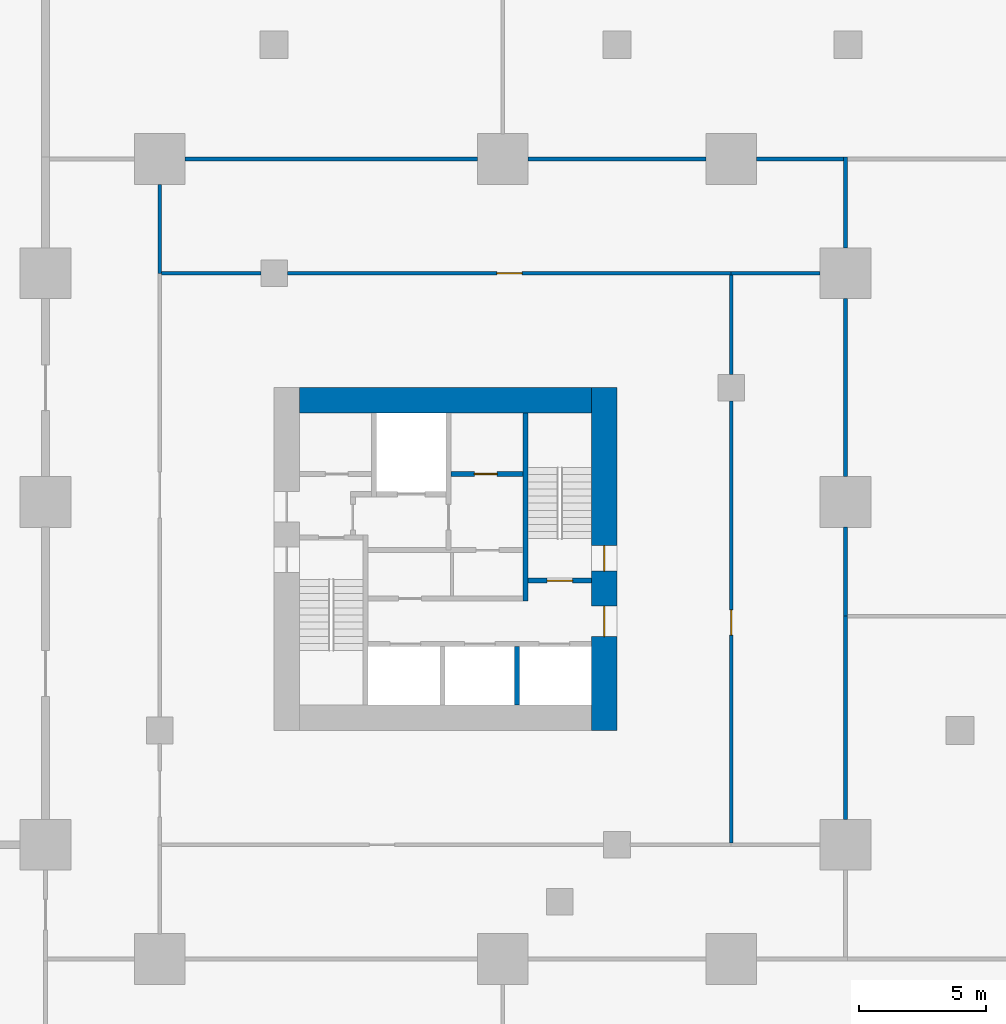
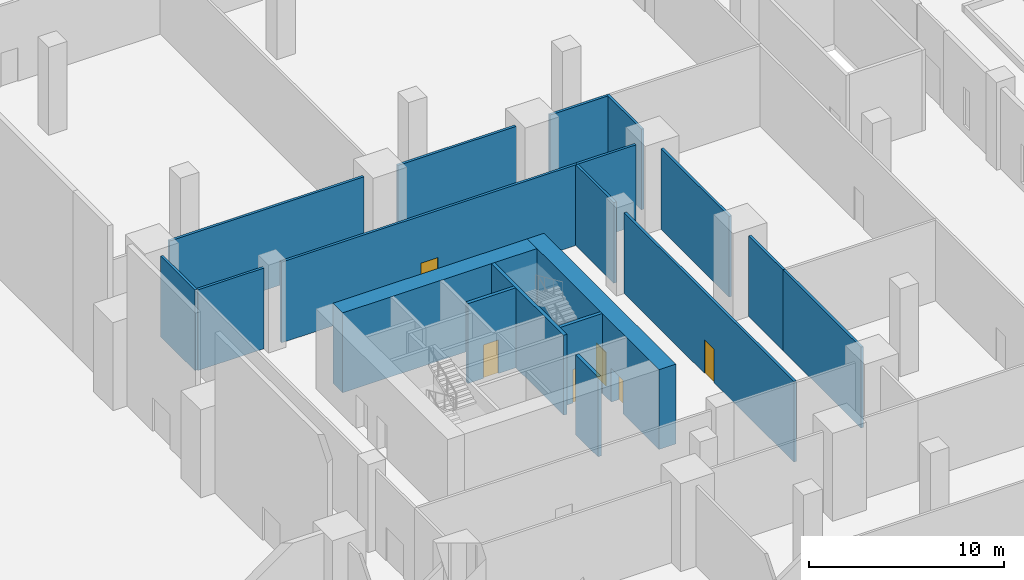
# One storey, part 31 of 47: 19 walls, 6 doors, 6 openings.
"""IFC4 building model written with IfcOpenShell, lengths in metres."""

from ifc_helpers import new_model, si_unit, direction, frame, frame_2d, origin, place, context, subcontext, project, spatial, rectangle, extrude, material, layer, layer_set, type_object, element, fill, save


model = new_model("IFC4")

# Units and contexts
model_context = context("Model", 3, precision=1e-05, world=origin(), true_north=direction((0.0, 1.0)))
body_context = subcontext(model_context, "Body", "Model", "MODEL_VIEW")
ifc_project = project(units=[si_unit("LENGTHUNIT", "METRE"), si_unit("AREAUNIT", "SQUARE_METRE"), si_unit("VOLUMEUNIT", "CUBIC_METRE"), si_unit("PLANEANGLEUNIT", "RADIAN"), si_unit("MASSUNIT", "GRAM", prefix="KILO")], contexts=[model_context])

# Site, building, storey
site_placement = place(None, origin())
site = spatial("IfcSite", under=ifc_project, at=site_placement, CompositionType="ELEMENT")
building_placement = place(site_placement, origin())
building = spatial("IfcBuilding", under=site, at=building_placement, Name="Altepetl Exchange Towers", CompositionType="ELEMENT")
storey_placement = place(building_placement, frame((0.0, 0.0, 6.0)))
storey = spatial("IfcBuildingStorey", under=building, at=storey_placement, Name="L01 Retail podium", CompositionType="ELEMENT", Elevation=6.0)

# Wall, openings, doors
ifc_material_1 = material(Name="Concrete C70/85", Category="concrete")
ifc_layer_1 = layer(ifc_material_1, 1.0)
ifc_layer_set_1 = layer_set([ifc_layer_1], Name="Concrete C70/85")
wall_type_1 = type_object("IfcWallType", Name="Core wall 1000 reinforced concrete", PredefinedType="SHEAR", material=ifc_layer_set_1)
wall_1_placement = place(storey_placement, frame((116.5, 36.0, 0.0), z_axis=(0.0, 0.0, 1.0), x_axis=(0.0, 1.0, 0.0)))
wall_1 = element("IfcWall", 1, at=wall_1_placement, inside=storey, type_object=wall_type_1, Name="wall:B:L01:K-coreE", PredefinedType="SHEAR", context=body_context, shape_type="SweptSolid", body=[
    extrude(rectangle(XDim=13.5, YDim=1.0, at=frame_2d((6.75, 0.0))), origin(), (0.0, 0.0, 1.0), 5.0),
])
opening_1_placement = place(wall_1_placement, frame((3.699951171875, 0.0, 0.0)))
opening_1 = element("IfcOpeningElement", 2, at=opening_1_placement, cuts=wall_1, Name="Opening L01.B61", PredefinedType="OPENING", context=body_context, shape_type="SweptSolid", body=[
    extrude(rectangle(XDim=1.199951171875, YDim=2.10009765625, at=frame_2d((0.60009765625, 1.050048828125))), frame((0.0, 0.510009765625, 0.0), z_axis=(0.0, -1.0, 0.0), x_axis=(1.0, 0.0, 0.0)), (0.0, 0.0, 1.0), 1.02001953125),
])
opening_2_placement = place(wall_1_placement, frame((6.27490234375, 0.0, 0.0)))
opening_2 = element("IfcOpeningElement", 3, at=opening_2_placement, cuts=wall_1, Name="Opening L01.B65", PredefinedType="OPENING", context=body_context, shape_type="SweptSolid", body=[
    extrude(rectangle(XDim=1.0, YDim=2.10009765625, at=frame_2d((0.5, 1.050048828125))), frame((0.0, 0.510009765625, 0.0), z_axis=(0.0, -1.0, 0.0), x_axis=(1.0, 0.0, 0.0)), (0.0, 0.0, 1.0), 1.02001953125),
])
ifc_material_2 = material(Name="Steel and timber fire door", Category="steel")
door_type_1 = type_object("IfcDoorType", Name="Fire door 1000 x 2100 stair and lobby", OperationType="SINGLE_SWING_LEFT", PredefinedType="DOOR", material=ifc_material_2)
door_1_placement = place(opening_2_placement, origin())
door_1 = element("IfcDoor", 4, at=door_1_placement, inside=storey, type_object=door_type_1, Name="door:B:L01:K-dS2x", OperationType="SINGLE_SWING_LEFT", OverallHeight=2.10009765625, OverallWidth=1.0, PredefinedType="DOOR", context=body_context, shape_type="SweptSolid", body=[
    extrude(rectangle(XDim=1.0, YDim=2.10009765625, at=frame_2d((0.5, 1.050048828125))), frame((0.0, 0.02490234375, 0.0), z_axis=(0.0, -1.0, 0.0), x_axis=(1.0, 0.0, 0.0)), (0.0, 0.0, 1.0), 0.050048828125),
])
fill(opening_2, door_1)
door_type_2 = type_object("IfcDoorType", Name="Fire door 1200 x 2100 lobby entry", OperationType="SINGLE_SWING_LEFT", PredefinedType="DOOR", material=ifc_material_2)
door_2_placement = place(opening_1_placement, origin())
door_2 = element("IfcDoor", 5, at=door_2_placement, inside=storey, type_object=door_type_2, Name="door:B:L01:K-dLSE", OperationType="SINGLE_SWING_RIGHT", OverallHeight=2.10009765625, OverallWidth=1.199951171875, PredefinedType="DOOR", context=body_context, shape_type="SweptSolid", body=[
    extrude(rectangle(XDim=1.199951171875, YDim=2.10009765625, at=frame_2d((0.60009765625, 1.050048828125))), frame((0.0, 0.02490234375, 0.0), z_axis=(0.0, -1.0, 0.0), x_axis=(1.0, 0.0, 0.0)), (0.0, 0.0, 1.0), 0.050048828125),
])
fill(opening_1, door_2)

# Walls
wall_2_placement = place(storey_placement, frame((104.5, 49.0, 0.0)))
element("IfcWall", 6, at=wall_2_placement, inside=storey, type_object=wall_type_1, Name="wall:B:L01:K-coreN", PredefinedType="SHEAR", context=body_context, shape_type="SweptSolid", body=[
    extrude(rectangle(XDim=11.5, YDim=1.0, at=frame_2d((5.75, 0.0))), origin(), (0.0, 0.0, 1.0), 5.0),
])
ifc_material_3 = material(Name="Gypsum board on steel studs", Category="steel")
ifc_layer_2 = layer(ifc_material_3, 0.14990234375)
ifc_layer_set_2 = layer_set([ifc_layer_2], Name="Gypsum board on steel studs")
wall_type_2 = type_object("IfcWallType", Name="Podium partition 150", PredefinedType="PARTITIONING", material=ifc_layer_set_2)
wall_3_placement = place(storey_placement, frame((99.0, 54.0, 0.0), z_axis=(0.0, 0.0, 1.0), x_axis=(0.0, 1.0, 0.0)))
element("IfcWall", 7, at=wall_3_placement, inside=storey, type_object=wall_type_2, Name="wall:P:L01:P126", PredefinedType="PARTITIONING", context=body_context, shape_type="SweptSolid", body=[
    extrude(rectangle(XDim=3.5048828125, YDim=0.14990234375, at=frame_2d((1.75244140625, 0.0))), origin(), (0.0, 0.0, 1.0), 5.050048828125),
])
wall_4_placement = place(storey_placement, frame((99.074951171875, 54.0, 0.0)))
element("IfcWall", 8, at=wall_4_placement, inside=storey, type_object=wall_type_2, Name="wall:P:L01:P131", PredefinedType="PARTITIONING", context=body_context, shape_type="SweptSolid", body=[
    extrude(rectangle(XDim=3.905029296875, YDim=0.14990234375, at=frame_2d((1.95263671875, 0.0))), origin(), (0.0, 0.0, 1.0), 5.050048828125),
])

# Wall, opening, door
wall_5_placement = place(storey_placement, frame((104.02001953125, 54.0, 0.0)))
wall_5 = element("IfcWall", 9, at=wall_5_placement, inside=storey, type_object=wall_type_2, Name="wall:P:L01:P132", PredefinedType="PARTITIONING", context=body_context, shape_type="SweptSolid", body=[
    extrude(rectangle(XDim=17.554931640625, YDim=0.14990234375, at=frame_2d((8.77734375, 0.0))), origin(), (0.0, 0.0, 1.0), 5.050048828125),
])
opening_3_placement = place(wall_5_placement, frame((8.25, 0.0, 0.0)))
opening_3 = element("IfcOpeningElement", 10, at=opening_3_placement, cuts=wall_5, Name="Opening L01.P015", PredefinedType="OPENING", context=body_context, shape_type="SweptSolid", body=[
    extrude(rectangle(XDim=1.0, YDim=2.10009765625, at=frame_2d((0.5, 1.050048828125))), frame((0.0, 0.0849609375, 0.0), z_axis=(0.0, -1.0, 0.0), x_axis=(1.0, 0.0, 0.0)), (0.0, 0.0, 1.0), 0.169921875),
])
door_type_3 = type_object("IfcDoorType", Name="Podium fire door 1000 x 2100 single leaf", OperationType="SINGLE_SWING_LEFT", PredefinedType="DOOR", material=ifc_material_2)
door_3_placement = place(opening_3_placement, origin())
door_3 = element("IfcDoor", 11, at=door_3_placement, inside=storey, type_object=door_type_3, Name="door:P:L01:015", OperationType="SINGLE_SWING_RIGHT", OverallHeight=2.10009765625, OverallWidth=1.0, PredefinedType="DOOR", context=body_context, shape_type="SweptSolid", body=[
    extrude(rectangle(XDim=1.0, YDim=2.10009765625, at=frame_2d((0.5, 1.050048828125))), frame((0.0, 0.02490234375, 0.0), z_axis=(0.0, -1.0, 0.0), x_axis=(1.0, 0.0, 0.0)), (0.0, 0.0, 1.0), 0.050048828125),
])
fill(opening_3, door_3)

wall_6_placement = place(storey_placement, frame((121.5, 31.574951171875, 0.0), z_axis=(0.0, 0.0, 1.0), x_axis=(0.0, 1.0, 0.0)))
wall_6 = element("IfcWall", 12, at=wall_6_placement, inside=storey, type_object=wall_type_2, Name="wall:P:L01:P133", PredefinedType="PARTITIONING", context=body_context, shape_type="SweptSolid", body=[
    extrude(rectangle(XDim=17.405029296875, YDim=0.14990234375, at=frame_2d((8.70263671875, 0.0))), origin(), (0.0, 0.0, 1.0), 5.050048828125),
])
opening_4_placement = place(wall_6_placement, frame((8.175048828125, 0.0, 0.0)))
opening_4 = element("IfcOpeningElement", 13, at=opening_4_placement, cuts=wall_6, Name="Opening L01.P016", PredefinedType="OPENING", context=body_context, shape_type="SweptSolid", body=[
    extrude(rectangle(XDim=1.0, YDim=2.10009765625, at=frame_2d((0.5, 1.050048828125))), frame((0.0, 0.0849609375, 0.0), z_axis=(0.0, -1.0, 0.0), x_axis=(1.0, 0.0, 0.0)), (0.0, 0.0, 1.0), 0.169921875),
])
door_4_placement = place(opening_4_placement, frame((1.0, 0.0, 0.0), x_axis=(-1.0, 0.0, 0.0)))
door_4 = element("IfcDoor", 14, at=door_4_placement, inside=storey, type_object=door_type_3, Name="door:P:L01:016", OperationType="SINGLE_SWING_RIGHT", OverallHeight=2.10009765625, OverallWidth=1.0, PredefinedType="DOOR", context=body_context, shape_type="SweptSolid", body=[
    extrude(rectangle(XDim=1.0, YDim=2.10009765625, at=frame_2d((0.5, 1.050048828125))), frame((0.0, 0.02490234375, 0.0), z_axis=(0.0, -1.0, 0.0), x_axis=(1.0, 0.0, 0.0)), (0.0, 0.0, 1.0), 0.050048828125),
])
fill(opening_4, door_4)

# Walls
wall_7_placement = place(storey_placement, frame((121.5, 50.02001953125, 0.0), z_axis=(0.0, 0.0, 1.0), x_axis=(0.0, 1.0, 0.0)))
element("IfcWall", 15, at=wall_7_placement, inside=storey, type_object=wall_type_2, Name="wall:P:L01:P134", PredefinedType="PARTITIONING", context=body_context, shape_type="SweptSolid", body=[
    extrude(rectangle(XDim=3.905029296875, YDim=0.14990234375, at=frame_2d((1.95263671875, 0.0))), origin(), (0.0, 0.0, 1.0), 5.050048828125),
])
wall_8_placement = place(storey_placement, frame((121.5, 54.0, 0.0)))
element("IfcWall", 16, at=wall_8_placement, inside=storey, type_object=wall_type_2, Name="wall:P:L01:P140", PredefinedType="PARTITIONING", context=body_context, shape_type="SweptSolid", body=[
    extrude(rectangle(XDim=3.5048828125, YDim=0.14990234375, at=frame_2d((1.75244140625, 0.0))), origin(), (0.0, 0.0, 1.0), 5.050048828125),
])
wall_9_placement = place(storey_placement, frame((126.0, 54.9951171875, 0.0), z_axis=(0.0, 0.0, 1.0), x_axis=(0.0, 1.0, 0.0)))
element("IfcWall", 17, at=wall_9_placement, inside=storey, type_object=wall_type_2, Name="wall:P:L01:P141", PredefinedType="PARTITIONING", context=body_context, shape_type="SweptSolid", body=[
    extrude(rectangle(XDim=3.579833984375, YDim=0.14990234375, at=frame_2d((1.7900390625, 0.0))), origin(), (0.0, 0.0, 1.0), 5.050048828125),
])
wall_10_placement = place(storey_placement, frame((99.9951171875, 58.5, 0.0)))
element("IfcWall", 18, at=wall_10_placement, inside=storey, type_object=wall_type_2, Name="wall:P:L01:P142", PredefinedType="PARTITIONING", context=body_context, shape_type="SweptSolid", body=[
    extrude(rectangle(XDim=11.509765625, YDim=0.14990234375, at=frame_2d((5.7548828125, 0.0))), origin(), (0.0, 0.0, 1.0), 5.050048828125),
])
wall_11_placement = place(storey_placement, frame((113.4951171875, 58.5, 0.0)))
element("IfcWall", 19, at=wall_11_placement, inside=storey, type_object=wall_type_2, Name="wall:P:L01:P143", PredefinedType="PARTITIONING", context=body_context, shape_type="SweptSolid", body=[
    extrude(rectangle(XDim=7.009765625, YDim=0.14990234375, at=frame_2d((3.5048828125, 0.0))), origin(), (0.0, 0.0, 1.0), 5.050048828125),
])
wall_12_placement = place(storey_placement, frame((122.4951171875, 58.5, 0.0)))
element("IfcWall", 20, at=wall_12_placement, inside=storey, type_object=wall_type_2, Name="wall:P:L01:P144", PredefinedType="PARTITIONING", context=body_context, shape_type="SweptSolid", body=[
    extrude(rectangle(XDim=3.429931640625, YDim=0.14990234375, at=frame_2d((1.71484375, 0.0))), origin(), (0.0, 0.0, 1.0), 5.050048828125),
])
wall_13_placement = place(storey_placement, frame((126.0, 32.4951171875, 0.0), z_axis=(0.0, 0.0, 1.0), x_axis=(0.0, 1.0, 0.0)))
element("IfcWall", 21, at=wall_13_placement, inside=storey, type_object=wall_type_2, Name="wall:P:L01:P145", PredefinedType="PARTITIONING", context=body_context, shape_type="SweptSolid", body=[
    extrude(rectangle(XDim=8.079833984375, YDim=0.14990234375, at=frame_2d((4.0400390625, 0.0))), origin(), (0.0, 0.0, 1.0), 5.050048828125),
])
wall_14_placement = place(storey_placement, frame((126.0, 40.5, 0.0), z_axis=(0.0, 0.0, 1.0), x_axis=(0.0, 1.0, 0.0)))
element("IfcWall", 22, at=wall_14_placement, inside=storey, type_object=wall_type_2, Name="wall:P:L01:P146", PredefinedType="PARTITIONING", context=body_context, shape_type="SweptSolid", body=[
    extrude(rectangle(XDim=3.5048828125, YDim=0.14990234375, at=frame_2d((1.75244140625, 0.0))), origin(), (0.0, 0.0, 1.0), 5.050048828125),
])
wall_15_placement = place(storey_placement, frame((126.0, 45.9951171875, 0.0), z_axis=(0.0, 0.0, 1.0), x_axis=(0.0, 1.0, 0.0)))
element("IfcWall", 23, at=wall_15_placement, inside=storey, type_object=wall_type_2, Name="wall:P:L01:P147", PredefinedType="PARTITIONING", context=body_context, shape_type="SweptSolid", body=[
    extrude(rectangle(XDim=7.009765625, YDim=0.14990234375, at=frame_2d((3.5048828125, 0.0))), origin(), (0.0, 0.0, 1.0), 5.050048828125),
])
ifc_material_4 = material(Name="Concrete C40/50", Category="concrete")
ifc_layer_3 = layer(ifc_material_4, 0.199951171875)
ifc_layer_set_3 = layer_set([ifc_layer_3], Name="Concrete C40/50")
wall_type_3 = type_object("IfcWallType", Name="Shaft wall 200 reinforced concrete", PredefinedType="SHEAR", material=ifc_layer_set_3)
wall_16_placement = place(storey_placement, frame((113.066650390625, 37.0, 0.0), z_axis=(0.0, 0.0, 1.0), x_axis=(0.0, 1.0, 0.0)))
element("IfcWall", 24, at=wall_16_placement, inside=storey, type_object=wall_type_3, Name="wall:B:L01:K-divS2", PredefinedType="SHEAR", context=body_context, shape_type="SweptSolid", body=[
    extrude(rectangle(XDim=2.300048828125, YDim=0.199951171875, at=frame_2d((1.14990234375, 0.0))), origin(), (0.0, 0.0, 1.0), 5.0),
])

# Wall, opening, door
wall_17_placement = place(storey_placement, frame((110.466796875, 46.10009765625, 0.0)))
wall_17 = element("IfcWall", 25, at=wall_17_placement, inside=storey, type_object=wall_type_3, Name="wall:B:L01:K-frontNb", PredefinedType="SHEAR", context=body_context, shape_type="SweptSolid", body=[
    extrude(rectangle(XDim=2.833251953125, YDim=0.199951171875, at=frame_2d((1.41650390625, 0.0))), origin(), (0.0, 0.0, 1.0), 5.0),
])
opening_5_placement = place(wall_17_placement, frame((0.91650390625, 0.0, 0.0)))
opening_5 = element("IfcOpeningElement", 26, at=opening_5_placement, cuts=wall_17, Name="Opening L01.B69", PredefinedType="OPENING", context=body_context, shape_type="SweptSolid", body=[
    extrude(rectangle(XDim=0.89990234375, YDim=2.10009765625, at=frame_2d((0.449951171875, 1.050048828125))), frame((0.0, 0.10986328125, 0.0), z_axis=(0.0, -1.0, 0.0), x_axis=(1.0, 0.0, 0.0)), (0.0, 0.0, 1.0), 0.219970703125),
])
door_type_4 = type_object("IfcDoorType", Name="Fire door 900 x 2100 service room", OperationType="SINGLE_SWING_LEFT", PredefinedType="DOOR", material=ifc_material_2)
door_5_placement = place(opening_5_placement, origin())
door_5 = element("IfcDoor", 27, at=door_5_placement, inside=storey, type_object=door_type_4, Name="door:B:L01:K-dslotN2", OperationType="SINGLE_SWING_RIGHT", OverallHeight=2.10009765625, OverallWidth=0.89990234375, PredefinedType="DOOR", context=body_context, shape_type="SweptSolid", body=[
    extrude(rectangle(XDim=0.89990234375, YDim=2.10009765625, at=frame_2d((0.449951171875, 1.050048828125))), frame((0.0, 0.02490234375, 0.0), z_axis=(0.0, -1.0, 0.0), x_axis=(1.0, 0.0, 0.0)), (0.0, 0.0, 1.0), 0.050048828125),
])
fill(opening_5, door_5)

ifc_layer_4 = layer(ifc_material_4, 0.199951171875)
ifc_layer_set_4 = layer_set([ifc_layer_4], Name="Concrete C40/50")
wall_type_4 = type_object("IfcWallType", Name="Stair wall 200 reinforced concrete", PredefinedType="SHEAR", material=ifc_layer_set_4)
wall_18_placement = place(storey_placement, frame((113.5, 41.89990234375, 0.0)))
wall_18 = element("IfcWall", 28, at=wall_18_placement, inside=storey, type_object=wall_type_4, Name="wall:B:L01:K-stS2S", PredefinedType="SHEAR", context=body_context, shape_type="SweptSolid", body=[
    extrude(rectangle(XDim=2.5, YDim=0.199951171875, at=frame_2d((1.25, 0.0))), origin(), (0.0, 0.0, 1.0), 5.0),
])
opening_6_placement = place(wall_18_placement, frame((0.75, 0.0, 0.0)))
opening_6 = element("IfcOpeningElement", 29, at=opening_6_placement, cuts=wall_18, Name="Opening L01.B64", PredefinedType="OPENING", context=body_context, shape_type="SweptSolid", body=[
    extrude(rectangle(XDim=1.0, YDim=2.10009765625, at=frame_2d((0.5, 1.050048828125))), frame((0.0, 0.10986328125, 0.0), z_axis=(0.0, -1.0, 0.0), x_axis=(1.0, 0.0, 0.0)), (0.0, 0.0, 1.0), 0.219970703125),
])
door_6_placement = place(opening_6_placement, origin())
door_6 = element("IfcDoor", 30, at=door_6_placement, inside=storey, type_object=door_type_1, Name="door:B:L01:K-dS2in", OperationType="SINGLE_SWING_RIGHT", OverallHeight=2.10009765625, OverallWidth=1.0, PredefinedType="DOOR", context=body_context, shape_type="SweptSolid", body=[
    extrude(rectangle(XDim=1.0, YDim=2.10009765625, at=frame_2d((0.5, 1.050048828125))), frame((0.0, 0.02490234375, 0.0), z_axis=(0.0, -1.0, 0.0), x_axis=(1.0, 0.0, 0.0)), (0.0, 0.0, 1.0), 0.050048828125),
])
fill(opening_6, door_6)

# Wall
wall_19_placement = place(storey_placement, frame((113.39990234375, 41.10009765625, 0.0), z_axis=(0.0, 0.0, 1.0), x_axis=(0.0, 1.0, 0.0)))
element("IfcWall", 31, at=wall_19_placement, inside=storey, type_object=wall_type_4, Name="wall:B:L01:K-stS2W", PredefinedType="SHEAR", context=body_context, shape_type="SweptSolid", body=[
    extrude(rectangle(XDim=7.39990234375, YDim=0.199951171875, at=frame_2d((3.699951171875, 0.0))), origin(), (0.0, 0.0, 1.0), 5.0),
])

save(model, "model.ifc")
